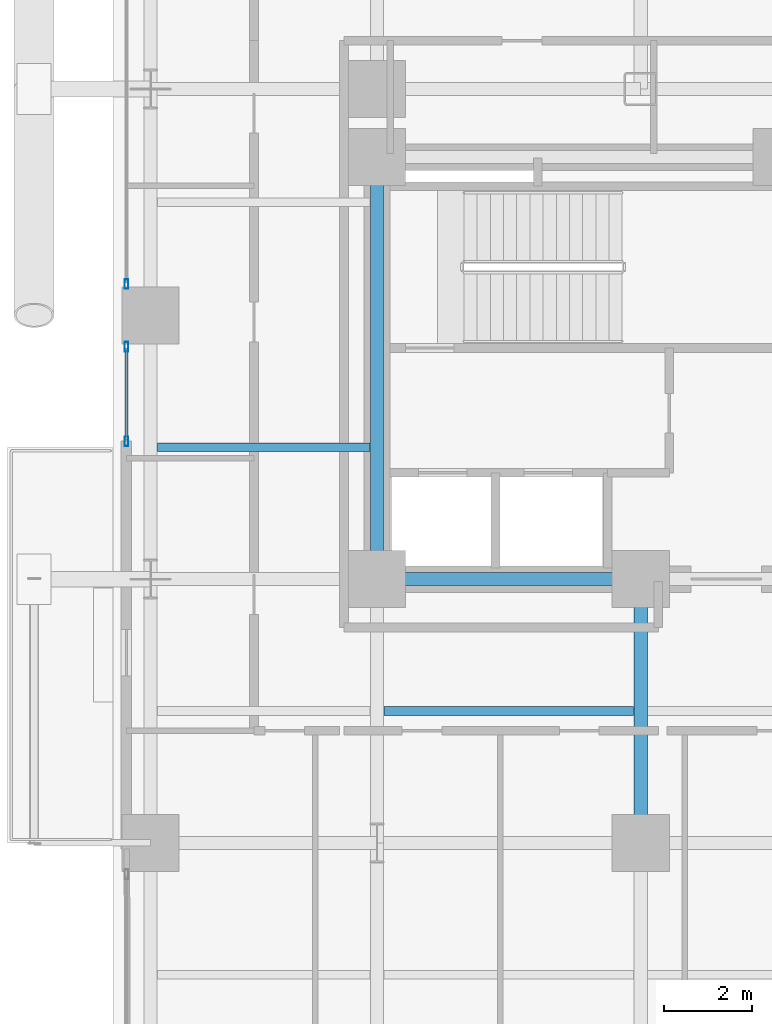
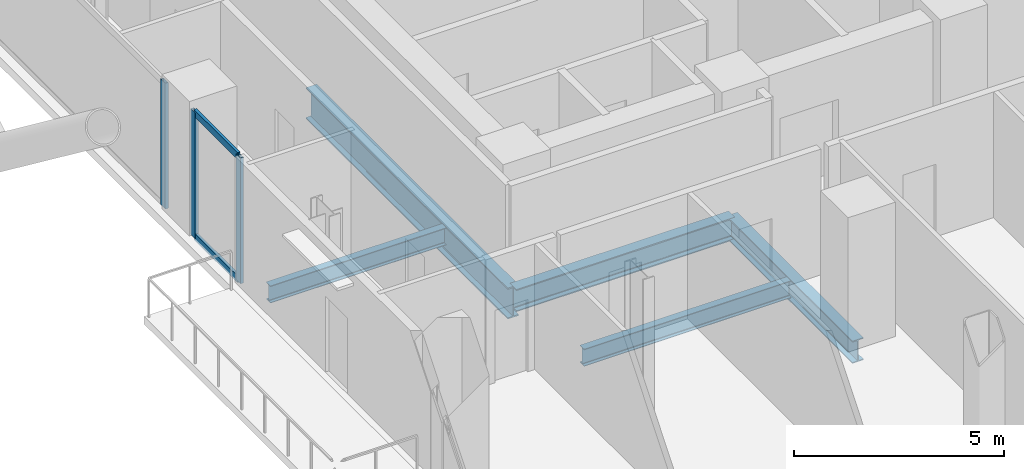
# One storey, part 5 of 25: 5 beams, 5 members, 2 elements without a shape of their own.
"""IFC4 building model written with IfcOpenShell, lengths in metres."""

from ifc_helpers import new_model, si_unit, direction, frame, origin, origin_2d, place, context, subcontext, project, spatial, hollow_rectangle, i_section, extrude, material, layer, layer_set, material_profile, profile_set, type_object, element, aggregate, save


model = new_model("IFC4")

# Units and contexts
model_context = context("Model", 3, precision=1e-05, world=origin(), true_north=direction((0.0, 1.0)))
body_context = subcontext(model_context, "Body", "Model", "MODEL_VIEW")
ifc_project = project(units=[si_unit("LENGTHUNIT", "METRE"), si_unit("AREAUNIT", "SQUARE_METRE"), si_unit("VOLUMEUNIT", "CUBIC_METRE"), si_unit("PLANEANGLEUNIT", "RADIAN"), si_unit("MASSUNIT", "GRAM", prefix="KILO"), si_unit("THERMODYNAMICTEMPERATUREUNIT", "KELVIN"), si_unit("POWERUNIT", "WATT")], contexts=[model_context])

# Site, building, storey
site_placement = place(None, origin())
site = spatial("IfcSite", under=ifc_project, at=site_placement, CompositionType="ELEMENT")
building_placement = place(site_placement, origin())
building = spatial("IfcBuilding", under=site, at=building_placement, Name="Svarakhadi Broadcast Tower", CompositionType="ELEMENT")
storey_placement = place(building_placement, frame((0.0, 0.0, 48.0)))
storey = spatial("IfcBuildingStorey", under=building, at=storey_placement, Name="L10", CompositionType="ELEMENT", Elevation=48.0)

# Beams
ifc_material_1 = material(Name="Steel S355J2 (IS 2062 E350C)", Category="steel")
ifc_material_profile_1 = material_profile(ifc_material_1, i_section(OverallWidth=0.199951171875, OverallDepth=0.5, WebThickness=0.01025390625, FlangeThickness=0.01611328125, FilletRadius=0.02099609375, at=origin_2d()), Name="NPB 500x200x91")
ifc_profile_set_1 = profile_set([ifc_material_profile_1], Name="Steel S355J2 (IS 2062 E350C)")
beam_type_1 = type_object("IfcBeamType", Name="Beam_NPB500", PredefinedType="BEAM", material=ifc_profile_set_1)
beam_1_placement = place(storey_placement, frame((1.010009765625, 21.0, -0.5), z_axis=(1.0, 0.0, 0.0), x_axis=(0.0, 1.0, 0.0)))
element("IfcBeam", 1, at=beam_1_placement, inside=storey, type_object=beam_type_1, Name="L10 Secondary Composite Beam SB003", PredefinedType="BEAM", context=body_context, shape_type="SweptSolid", body=[
    extrude(i_section(OverallWidth=0.199951171875, OverallDepth=0.5, WebThickness=0.01025390625, FlangeThickness=0.01611328125, FilletRadius=0.02099609375, at=origin_2d()), origin(), (0.0, 0.0, 1.0), 4.830078125),
])
beam_2_placement = place(storey_placement, frame((6.159912109375, 15.0, -0.5), z_axis=(1.0, 0.0, 0.0), x_axis=(0.0, 1.0, 0.0)))
element("IfcBeam", 2, at=beam_2_placement, inside=storey, type_object=beam_type_1, Name="L10 Secondary Composite Beam SB009", PredefinedType="BEAM", context=body_context, shape_type="SweptSolid", body=[
    extrude(i_section(OverallWidth=0.199951171875, OverallDepth=0.5, WebThickness=0.01025390625, FlangeThickness=0.01611328125, FilletRadius=0.02099609375, at=origin_2d()), origin(), (0.0, 0.0, 1.0), 5.68017578125),
])

# Curtain wall, members
ifc_material_2 = material(Name="Anodised Bronze Aluminium AA 6063-T6", Category="aluminium")
ifc_layer = layer(ifc_material_2, 0.219970703125)
ifc_layer_set = layer_set([ifc_layer], Name="Anodised Bronze Aluminium AA 6063-T6")
curtain_wall_type = type_object("IfcCurtainWallType", Name="CW_Sys_02", PredefinedType="NOTDEFINED", material=ifc_layer_set)
curtain_wall_1_placement = place(storey_placement, origin())
curtain_wall_1 = element("IfcCurtainWall", 3, at=curtain_wall_1_placement, inside=storey, type_object=curtain_wall_type, Name="L10 West Curtain Wall 03 Bay 1", PredefinedType="NOTDEFINED")
ifc_material_profile_2 = material_profile(ifc_material_2, hollow_rectangle(XDim=0.0849609375, YDim=0.219970703125, WallThickness=0.006103515625, at=origin_2d()), Name="ALU MULLION 220x85x6")
ifc_profile_set_2 = profile_set([ifc_material_profile_2], Name="Anodised Bronze Aluminium AA 6063-T6")
member_type_1 = type_object("IfcMemberType", Name="CW_Sys_02_Mul", PredefinedType="MULLION", material=ifc_profile_set_2)
member_1_placement = place(storey_placement, frame((0.300048828125, 21.132568359375, 0.0), z_axis=(0.0, 0.0, 1.0), x_axis=(-1.0, 0.0, 0.0)))
member_1 = element("IfcMember", 4, at=member_1_placement, type_object=member_type_1, Name="CW-02 mullion 1", PredefinedType="MULLION", context=body_context, shape_type="SweptSolid", body=[
    extrude(hollow_rectangle(XDim=0.0849609375, YDim=0.219970703125, WallThickness=0.006103515625, at=origin_2d()), origin(), (0.0, 0.0, 1.0), 3.64990234375),
])
member_2_placement = place(storey_placement, frame((0.300048828125, 23.28759765625, 0.0), z_axis=(0.0, 0.0, 1.0), x_axis=(-1.0, 0.0, 0.0)))
member_2 = element("IfcMember", 5, at=member_2_placement, type_object=member_type_1, Name="CW-02 mullion 2", PredefinedType="MULLION", context=body_context, shape_type="SweptSolid", body=[
    extrude(hollow_rectangle(XDim=0.0849609375, YDim=0.219970703125, WallThickness=0.006103515625, at=origin_2d()), origin(), (0.0, 0.0, 1.0), 3.64990234375),
])

# Curtain wall, member
curtain_wall_2_placement = place(storey_placement, origin())
curtain_wall_2 = element("IfcCurtainWall", 6, at=curtain_wall_2_placement, inside=storey, type_object=curtain_wall_type, Name="L10 West Curtain Wall 03 Bay 2", PredefinedType="NOTDEFINED")
member_3_placement = place(storey_placement, frame((0.300048828125, 24.71240234375, 0.0), z_axis=(0.0, 0.0, 1.0), x_axis=(-1.0, 0.0, 0.0)))
member_3 = element("IfcMember", 7, at=member_3_placement, type_object=member_type_1, Name="CW-02 mullion 1", PredefinedType="MULLION", context=body_context, shape_type="SweptSolid", body=[
    extrude(hollow_rectangle(XDim=0.0849609375, YDim=0.219970703125, WallThickness=0.006103515625, at=origin_2d()), origin(), (0.0, 0.0, 1.0), 3.64990234375),
])
aggregate(curtain_wall_2, [member_3])

# Member
ifc_material_profile_3 = material_profile(ifc_material_2, hollow_rectangle(XDim=0.074951171875, YDim=0.199951171875, WallThickness=0.0048828125, at=origin_2d()), Name="ALU TRANSOM 200x75x5")
ifc_profile_set_3 = profile_set([ifc_material_profile_3], Name="Anodised Bronze Aluminium AA 6063-T6")
member_type_2 = type_object("IfcMemberType", Name="CW_Sys_02_Trn", PredefinedType="USERDEFINED", material=ifc_profile_set_3)
member_4_placement = place(storey_placement, frame((0.300048828125, 21.175048828125, 0.03759765625), z_axis=(0.0, 1.0, 0.0), x_axis=(-1.0, 0.0, 0.0)))
member_4 = element("IfcMember", 8, at=member_4_placement, type_object=member_type_2, Name="CW-02 transom 1.1", ObjectType="TRANSOM", PredefinedType="USERDEFINED", context=body_context, shape_type="SweptSolid", body=[
    extrude(hollow_rectangle(XDim=0.074951171875, YDim=0.199951171875, WallThickness=0.0048828125, at=origin_2d()), origin(), (0.0, 0.0, 1.0), 2.070068359375),
])

member_5_placement = place(storey_placement, frame((0.300048828125, 21.175048828125, 3.612548828125), z_axis=(0.0, 1.0, 0.0), x_axis=(-1.0, 0.0, 0.0)))
member_5 = element("IfcMember", 9, at=member_5_placement, type_object=member_type_2, Name="CW-02 transom 1.2", ObjectType="TRANSOM", PredefinedType="USERDEFINED", context=body_context, shape_type="SweptSolid", body=[
    extrude(hollow_rectangle(XDim=0.074951171875, YDim=0.199951171875, WallThickness=0.0048828125, at=origin_2d()), origin(), (0.0, 0.0, 1.0), 2.070068359375),
])

aggregate(curtain_wall_1, [member_1, member_2, member_4, member_5])

# Beams
ifc_material_profile_4 = material_profile(ifc_material_1, i_section(OverallWidth=0.300048828125, OverallDepth=0.64990234375, WebThickness=0.01611328125, FlangeThickness=0.031005859375, FilletRadius=0.027099609375, at=origin_2d()), Name="WPB 650x300x225")
ifc_profile_set_4 = profile_set([ifc_material_profile_4], Name="Steel S355J2 (IS 2062 E350C)")
beam_type_2 = type_object("IfcBeamType", Name="Girder_WPB650", PredefinedType="USERDEFINED", material=ifc_profile_set_4)
for number, where, z_axis, x_axis, name in (
    (10, (6.0, 18.0, -0.574951171875), (1.0, 0.0, 0.0), (0.0, 1.0, 0.0), "L10 Primary E-W Girder G026"),
    (11, (12.0, 12.0, -0.574951171875), (0.0, 1.0, 0.0), (-1.0, 0.0, 0.0), "L10 Primary N-S Girder G060"),
):
    element("IfcBeam", number, at=place(storey_placement, frame(where, z_axis=z_axis, x_axis=x_axis)), inside=storey, type_object=beam_type_2, Name=name, ObjectType="GIRDER", PredefinedType="USERDEFINED", context=body_context, shape_type="SweptSolid", body=[
        extrude(i_section(OverallWidth=0.300048828125, OverallDepth=0.64990234375, WebThickness=0.01611328125, FlangeThickness=0.031005859375, FilletRadius=0.027099609375, at=origin_2d()), origin(), (0.0, 0.0, 1.0), 6.0),
    ])
ifc_material_3 = material(Name="Steel S460ML (IS 2062 E450BR)", Category="steel")
ifc_material_profile_5 = material_profile(ifc_material_3, i_section(OverallWidth=0.300048828125, OverallDepth=0.89990234375, WebThickness=0.0185546875, FlangeThickness=0.034912109375, FilletRadius=0.030029296875, at=origin_2d()), Name="WPB 900x300x291")
ifc_profile_set_5 = profile_set([ifc_material_profile_5], Name="Steel S460ML (IS 2062 E450BR)")
beam_type_3 = type_object("IfcBeamType", Name="Girder_WPB900", PredefinedType="USERDEFINED", material=ifc_profile_set_5)
beam_3_placement = place(storey_placement, frame((6.0, 18.0, -0.699951171875), z_axis=(0.0, 1.0, 0.0), x_axis=(-1.0, 0.0, 0.0)))
element("IfcBeam", 12, at=beam_3_placement, inside=storey, type_object=beam_type_3, Name="L10 Primary N-S Girder G054", ObjectType="GIRDER", PredefinedType="USERDEFINED", context=body_context, shape_type="SweptSolid", body=[
    extrude(i_section(OverallWidth=0.300048828125, OverallDepth=0.89990234375, WebThickness=0.0185546875, FlangeThickness=0.034912109375, FilletRadius=0.030029296875, at=origin_2d()), origin(), (0.0, 0.0, 1.0), 9.60009765625),
])

save(model, "model.ifc")
